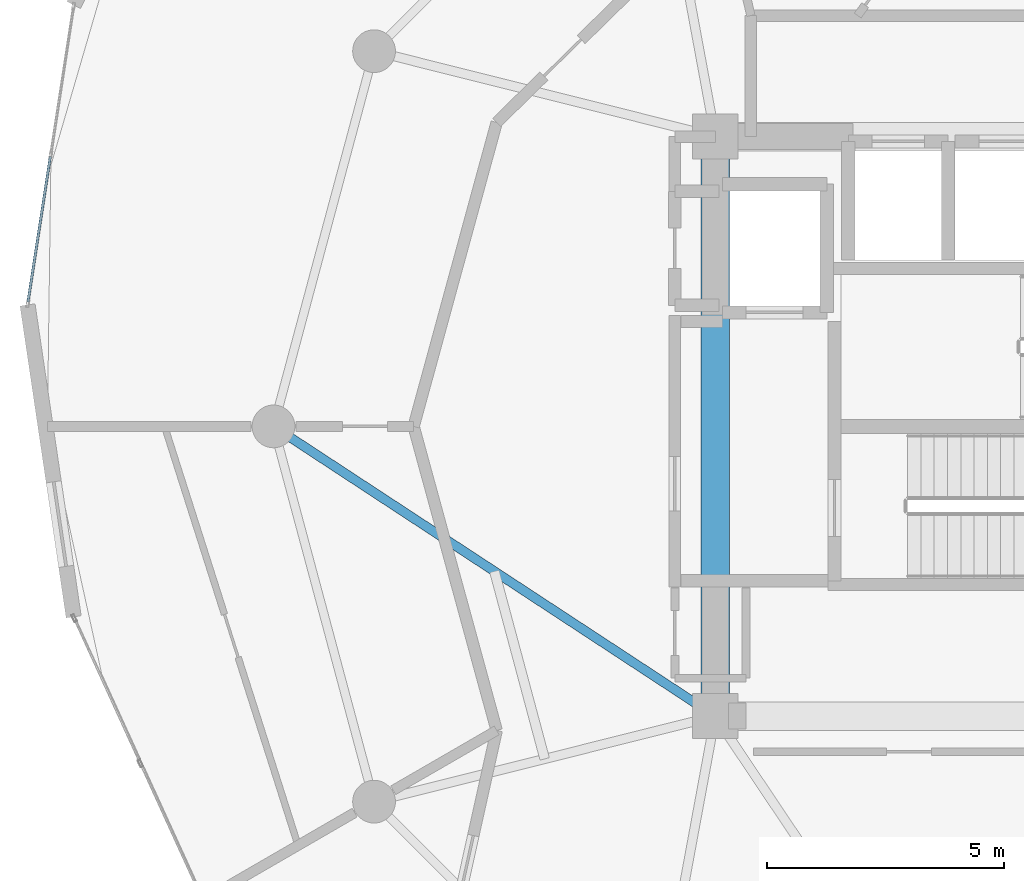
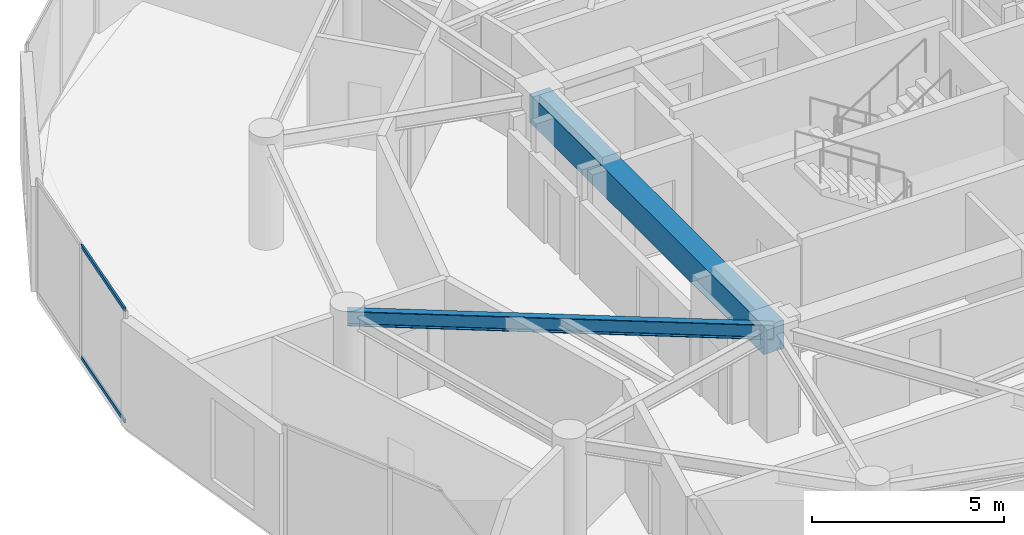
# One storey, part 9 of 24: 2 beams, 2 members, 1 element without a shape of its own.
"""IFC4 building model written with IfcOpenShell, lengths in metres."""

from ifc_helpers import new_model, si_unit, direction, frame, origin, origin_2d, place, context, subcontext, project, spatial, rectangle, hollow_rectangle, i_section, extrude, source, transform, mapped, material, layer, layer_set, material_profile, profile_set, type_object, element, aggregate, save


model = new_model("IFC4")

# Units and contexts
model_context = context("Model", 3, precision=1e-05, world=origin(), true_north=direction((0.0, 1.0)))
body_context = subcontext(model_context, "Body", "Model", "MODEL_VIEW")
ifc_project = project(units=[si_unit("LENGTHUNIT", "METRE"), si_unit("AREAUNIT", "SQUARE_METRE"), si_unit("VOLUMEUNIT", "CUBIC_METRE"), si_unit("PLANEANGLEUNIT", "RADIAN"), si_unit("MASSUNIT", "GRAM", prefix="KILO")], contexts=[model_context])

# Site, building, storey
site_placement = place(None, origin())
site = spatial("IfcSite", under=ifc_project, at=site_placement, CompositionType="ELEMENT")
building_placement = place(site_placement, origin())
building = spatial("IfcBuilding", under=site, at=building_placement, Name="Solvirekh Grand Hotel", CompositionType="ELEMENT")
storey_placement = place(building_placement, frame((0.0, 0.0, 184.0)))
storey = spatial("IfcBuildingStorey", under=building, at=storey_placement, Name="L47", CompositionType="ELEMENT", Elevation=184.0)

# Beams
ifc_material_1 = material(Name="Concrete C50/60", Category="concrete")
ifc_material_profile_1 = material_profile(ifc_material_1, rectangle(XDim=0.60009765625, YDim=0.89990234375, at=origin_2d()), Name="RC BEAM 600X900")
ifc_profile_set_1 = profile_set([ifc_material_profile_1], Name="Concrete C50/60")
beam_type_1 = type_object("IfcBeamType", Name="Beam_Core_RC900", PredefinedType="BEAM", material=ifc_profile_set_1)
beam_1_placement = place(storey_placement, frame((-6.5, 6.10009765625, 2.909912109375), z_axis=(0.0, -1.0, 0.0), x_axis=(1.0, 0.0, 0.0)))
element("IfcBeam", 1, at=beam_1_placement, inside=storey, type_object=beam_type_1, Name="L47 core coupling ring beam 4", PredefinedType="BEAM", context=body_context, shape_type="SweptSolid", body=[
    extrude(rectangle(XDim=0.60009765625, YDim=0.89990234375, at=origin_2d()), origin(), (0.0, 0.0, 1.0), 12.2001953125),
])
ifc_material_2 = material(Name="Steel S355", Category="steel")
ifc_material_profile_2 = material_profile(ifc_material_2, i_section(OverallWidth=0.194091796875, OverallDepth=0.468994140625, WebThickness=0.010986328125, FlangeThickness=0.01904296875, FilletRadius=0.012939453125, at=origin_2d()), Name="W460X106")
ifc_profile_set_2 = profile_set([ifc_material_profile_2], Name="Steel S355")
beam_type_2 = type_object("IfcBeamType", Name="Beam_Radial_W460H", PredefinedType="BEAM", material=ifc_profile_set_2)
beam_2_placement = place(storey_placement, frame((-6.5, -6.10009765625, 3.1259765625), z_axis=(-0.836174064962, 0.548464158432, 0.0), x_axis=(-0.548464158432, -0.836174064962, 0.0)))
element("IfcBeam", 2, at=beam_2_placement, inside=storey, type_object=beam_type_2, Name="L47 radial floor beam R07", PredefinedType="BEAM", context=body_context, shape_type="SweptSolid", body=[
    extrude(i_section(OverallWidth=0.194091796875, OverallDepth=0.468994140625, WebThickness=0.010986328125, FlangeThickness=0.01904296875, FilletRadius=0.012939453125, at=origin_2d()), origin(), (0.0, 0.0, 1.0), 11.1220703125),
])

# Curtain wall, members
ifc_material_3 = material(Name="Anodized Bronze Aluminium 6063-T6", Category="aluminium")
ifc_layer = layer(ifc_material_3, 0.159912109375)
ifc_layer_set = layer_set([ifc_layer], Name="Anodized Bronze Aluminium 6063-T6")
curtain_wall_type = type_object("IfcCurtainWallType", Name="CW_Sys4_HighZoneFlushBronzeCW", PredefinedType="NOTDEFINED", material=ifc_layer_set)
curtain_wall_placement = place(storey_placement, origin())
curtain_wall = element("IfcCurtainWall", 3, at=curtain_wall_placement, inside=storey, type_object=curtain_wall_type, Name="L47 unitised bronze-glass curtain wall CW-L47-C13", PredefinedType="NOTDEFINED")
ifc_material_profile_3 = material_profile(ifc_material_3, hollow_rectangle(XDim=0.054931640625, YDim=0.1201171875, WallThickness=0.00390625, at=origin_2d()), Name="ALU RHS 120X55X4")
ifc_profile_set_3 = profile_set([ifc_material_profile_3], Name="Anodized Bronze Aluminium 6063-T6")
member_type = type_object("IfcMemberType", Name="CWTransom_Sys4", PredefinedType="USERDEFINED", material=ifc_profile_set_3)
shared_shape = source(origin(), body_context, "Body", "SweptSolid", [
    extrude(hollow_rectangle(XDim=0.054931640625, YDim=0.1201171875, WallThickness=0.00390625, at=origin_2d()), origin(), (0.0, 0.0, 1.0), 3.104736328125),
])
member_1_placement = place(storey_placement, frame((-20.498046875, 5.685791015625, 0.027587890625), z_axis=(-0.152004002247, -0.988379878033, 0.0), x_axis=(0.988379878033, -0.152004002247, 0.0)))
member_1 = element("IfcMember", 4, at=member_1_placement, type_object=member_type, Name="U04 transom 2.1", ObjectType="TRANSOM", PredefinedType="USERDEFINED", context=body_context, shape_type="MappedRepresentation", body=[
    mapped(shared_shape, transform((0.0, 0.0, 0.0), x_axis=(1.0, 0.0, 0.0), y_axis=(0.0, 1.0, 0.0), z_axis=(0.0, 0.0, 1.0), scale=1.0)),
])
member_2_placement = place(storey_placement, frame((-20.498046875, 5.685791015625, 3.572509765625), z_axis=(-0.152004002247, -0.988379878033, 0.0), x_axis=(0.988379878033, -0.152004002247, 0.0)))
member_2 = element("IfcMember", 5, at=member_2_placement, type_object=member_type, Name="U04 transom 2.2", ObjectType="TRANSOM", PredefinedType="USERDEFINED", context=body_context, shape_type="MappedRepresentation", body=[
    mapped(shared_shape, transform((0.0, 0.0, 0.0), x_axis=(1.0, 0.0, 0.0), y_axis=(0.0, 1.0, 0.0), z_axis=(0.0, 0.0, 1.0), scale=1.0)),
])
aggregate(curtain_wall, [member_1, member_2])

save(model, "model.ifc")
